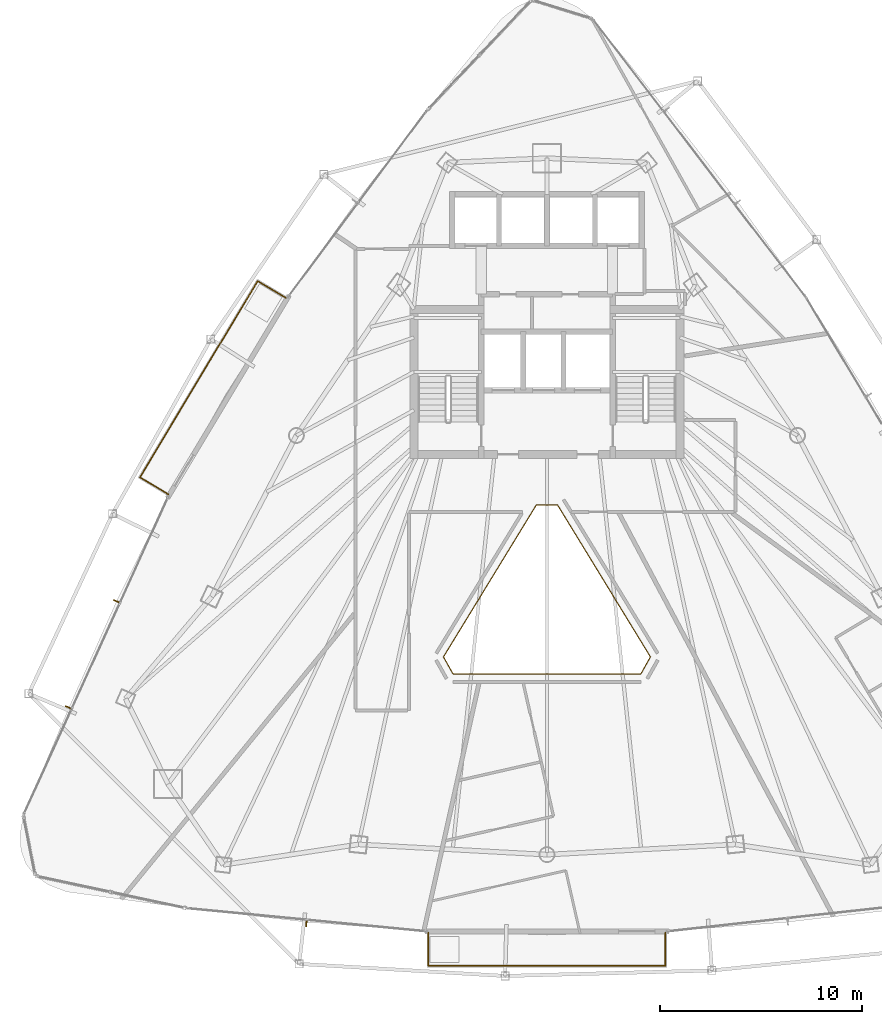
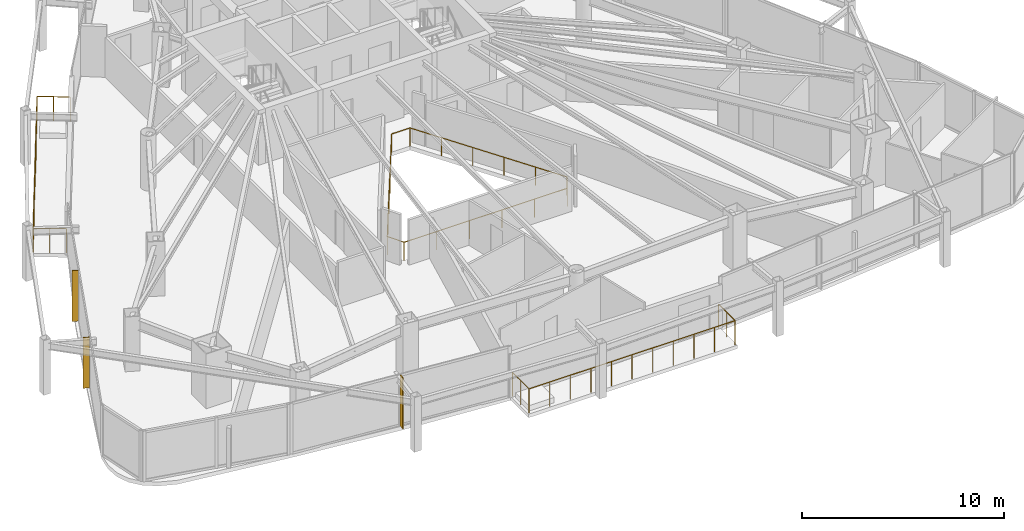
# One storey, part 31 of 33: 3 railings, 3 shading devices.
"""IFC4 building model written with IfcOpenShell, lengths in metres."""

from ifc_helpers import new_model, si_unit, direction, frame, origin, origin_2d, place, context, subcontext, project, spatial, rectangle, circle, extrude, material, layer, layer_set, type_object, element, save


model = new_model("IFC4")

# Units and contexts
model_context = context("Model", 3, precision=1e-05, world=origin(), true_north=direction((0.0, 1.0)))
body_context = subcontext(model_context, "Body", "Model", "MODEL_VIEW")
ifc_project = project(units=[si_unit("LENGTHUNIT", "METRE"), si_unit("AREAUNIT", "SQUARE_METRE"), si_unit("VOLUMEUNIT", "CUBIC_METRE"), si_unit("PLANEANGLEUNIT", "RADIAN"), si_unit("MASSUNIT", "GRAM", prefix="KILO")], contexts=[model_context])

# Site, building, storey
site_placement = place(None, origin())
site = spatial("IfcSite", under=ifc_project, at=site_placement, CompositionType="ELEMENT")
building_placement = place(site_placement, origin())
building = spatial("IfcBuilding", under=site, at=building_placement, Name="Orvanel Arch Residences", CompositionType="ELEMENT")
storey_placement = place(building_placement, frame((0.0, 0.0, 119.89990234375)))
storey = spatial("IfcBuildingStorey", under=building, at=storey_placement, Name="L33", CompositionType="ELEMENT", Elevation=119.89990234375)

# Shading devices
ifc_material = material(Name="Bronze-anodised aluminium AA6063-T6", Category="aluminium")
ifc_layer = layer(ifc_material, 0.054931640625)
ifc_layer_set = layer_set([ifc_layer], Name="Bronze-anodised aluminium AA6063-T6")
shading_device_type = type_object("IfcShadingDeviceType", Name="FIN-BRZ-320", PredefinedType="USERDEFINED", material=ifc_layer_set)
for number, where, z_axis, x_axis, name in (
    (1, (11.64892578125, 19.416015625, 0.0), (0.0, 0.0, 1.0), (-0.909961270877, 0.414693242656, 0.0), "L33 Anodised Bronze Mullion FIN 01"),
    (2, (9.2529296875, 14.14990234375, 0.0), (0.0, 0.0, 1.0), (-0.909961270877, 0.414693242656, 0.0), "L33 Anodised Bronze Mullion FIN 02"),
    (3, (21.06494140625, 3.423095703125, 0.0), (0.0, 0.0, 1.0), (-0.09584575252, -0.995396198367, 0.0), "L33 Anodised Bronze Mullion FIN 01"),
):
    element("IfcShadingDevice", number, at=place(storey_placement, frame(where, z_axis=z_axis, x_axis=x_axis)), inside=storey, type_object=shading_device_type, Name=name, ObjectType="FIN", PredefinedType="USERDEFINED", context=body_context, shape_type="SweptSolid", body=[
        extrude(rectangle(XDim=0.320068359375, YDim=0.054931640625, at=origin_2d()), origin(), (0.0, 0.0, 1.0), 3.06005859375),
    ])

# Railings
railing_type_1 = type_object("IfcRailingType", Name="RL-ATR-1120", PredefinedType="BALUSTRADE", material=ifc_material)
railing_1_placement = place(storey_placement, frame((33.52001953125, 24.198974609375, 0.0)))
element("IfcRailing", 4, at=railing_1_placement, inside=storey, type_object=railing_type_1, Name="L33 Atrium Void Protective Balustrade", PredefinedType="BALUSTRADE", context=body_context, shape_type="SweptSolid", body=[
    extrude(circle(Radius=0.02392578125, at=origin_2d()), frame((-0.00146484375, 0.0, 1.09619140625), z_axis=(-1.0, 0.0, 0.0), x_axis=(0.0, -1.0, 0.0)), (0.0, 0.0, 1.0), 1.037109375),
    extrude(circle(Radius=0.02392578125, at=origin_2d()), frame((-1.040771484375, -0.001220703125, 1.09619140625), z_axis=(-0.521622037561, -0.853176681544, 0.0), x_axis=(0.853176681544, -0.521622037561, 0.0)), (0.0, 0.0, 1.0), 8.8369140625),
    extrude(circle(Radius=0.02392578125, at=origin_2d()), frame((-5.650390625, -7.543212890625, 1.09619140625), z_axis=(0.488953837544, -0.872309661044, 0.0), x_axis=(0.872309661044, 0.488953837544, 0.0)), (0.0, 0.0, 1.0), 0.97265625),
    extrude(circle(Radius=0.02392578125, at=origin_2d()), frame((-5.172607421875, -8.39306640625, 1.09619140625), z_axis=(1.0, 0.0, 0.0), x_axis=(0.0, 1.0, 0.0)), (0.0, 0.0, 1.0), 9.30517578125),
    extrude(circle(Radius=0.02392578125, at=origin_2d()), frame((4.134765625, -8.391845703125, 1.09619140625), z_axis=(0.488953837544, 0.872309661044, 0.0), x_axis=(-0.872309661044, 0.488953837544, 0.0)), (0.0, 0.0, 1.0), 0.97265625),
    extrude(circle(Radius=0.02392578125, at=origin_2d()), frame((4.6103515625, -7.540771484375, 1.09619140625), z_axis=(-0.521622037561, 0.853176681544, 0.0), x_axis=(-0.853176681544, -0.521622037561, 0.0)), (0.0, 0.0, 1.0), 8.8369140625),
    extrude(circle(Radius=0.02099609375, at=origin_2d()), origin(), (0.0, 0.0, 1.0), 1.070068359375),
    extrude(circle(Radius=0.02099609375, at=origin_2d()), frame((-1.0400390625, 0.0, 0.0)), (0.0, 0.0, 1.0), 1.070068359375),
    extrude(circle(Radius=0.02099609375, at=origin_2d()), frame((-1.962158203125, -1.50830078125, 0.0)), (0.0, 0.0, 1.0), 1.070068359375),
    extrude(circle(Radius=0.02099609375, at=origin_2d()), frame((-2.884521484375, -3.016845703125, 0.0)), (0.0, 0.0, 1.0), 1.070068359375),
    extrude(circle(Radius=0.02099609375, at=origin_2d()), frame((-3.806640625, -4.525146484375, 0.0)), (0.0, 0.0, 1.0), 1.070068359375),
    extrude(circle(Radius=0.02099609375, at=origin_2d()), frame((-4.72900390625, -6.03369140625, 0.0)), (0.0, 0.0, 1.0), 1.070068359375),
    extrude(circle(Radius=0.02099609375, at=origin_2d()), frame((-5.651123046875, -7.5419921875, 0.0)), (0.0, 0.0, 1.0), 1.070068359375),
    extrude(circle(Radius=0.02099609375, at=origin_2d()), frame((-5.174072265625, -8.39306640625, 0.0)), (0.0, 0.0, 1.0), 1.070068359375),
    extrude(circle(Radius=0.02099609375, at=origin_2d()), frame((-3.3125, -8.39306640625, 0.0)), (0.0, 0.0, 1.0), 1.070068359375),
    extrude(circle(Radius=0.02099609375, at=origin_2d()), frame((-1.450927734375, -8.39306640625, 0.0)), (0.0, 0.0, 1.0), 1.070068359375),
    extrude(circle(Radius=0.02099609375, at=origin_2d()), frame((0.410888671875, -8.39306640625, 0.0)), (0.0, 0.0, 1.0), 1.070068359375),
    extrude(circle(Radius=0.02099609375, at=origin_2d()), frame((2.2724609375, -8.39306640625, 0.0)), (0.0, 0.0, 1.0), 1.070068359375),
    extrude(circle(Radius=0.02099609375, at=origin_2d()), frame((4.134033203125, -8.39306640625, 0.0)), (0.0, 0.0, 1.0), 1.070068359375),
    extrude(circle(Radius=0.02099609375, at=origin_2d()), frame((4.611083984375, -7.5419921875, 0.0)), (0.0, 0.0, 1.0), 1.070068359375),
    extrude(circle(Radius=0.02099609375, at=origin_2d()), frame((3.68896484375, -6.03369140625, 0.0)), (0.0, 0.0, 1.0), 1.070068359375),
    extrude(circle(Radius=0.02099609375, at=origin_2d()), frame((2.7666015625, -4.525146484375, 0.0)), (0.0, 0.0, 1.0), 1.070068359375),
    extrude(circle(Radius=0.02099609375, at=origin_2d()), frame((1.844482421875, -3.016845703125, 0.0)), (0.0, 0.0, 1.0), 1.070068359375),
    extrude(circle(Radius=0.02099609375, at=origin_2d()), frame((0.922119140625, -1.50830078125, 0.0)), (0.0, 0.0, 1.0), 1.070068359375),
])
railing_type_2 = type_object("IfcRailingType", Name="RL-BAL-1480", PredefinedType="BALUSTRADE", material=ifc_material)
railing_2_placement = place(storey_placement, frame((20.056884765625, 34.464111328125, 0.0)))
element("IfcRailing", 5, at=railing_2_placement, inside=storey, type_object=railing_type_2, Name="L33 Balcony Perimeter Guardrail Face 1", PredefinedType="BALUSTRADE", context=body_context, shape_type="SweptSolid", body=[
    extrude(circle(Radius=0.02392578125, at=origin_2d()), frame((-0.001220703125, 0.000732421875, 1.4560546875), z_axis=(-0.857387817543, 0.514670895164, 0.0), x_axis=(-0.514670895164, -0.857387817543, 0.0)), (0.0, 0.0, 1.0), 1.636962890625),
    extrude(circle(Radius=0.02392578125, at=origin_2d()), frame((-1.40673828125, 0.8427734375, 1.4560546875), z_axis=(-0.514435715158, -0.857528947016, 0.0), x_axis=(0.857528947016, -0.514435715158, 0.0)), (0.0, 0.0, 1.0), 11.35888671875),
    extrude(circle(Radius=0.02392578125, at=origin_2d()), frame((-7.249755859375, -8.89990234375, 1.4560546875), z_axis=(0.857545439568, -0.514408222208, 0.0), x_axis=(0.514408222208, 0.857545439568, 0.0)), (0.0, 0.0, 1.0), 1.6376953125),
    extrude(circle(Radius=0.02099609375, at=origin_2d()), origin(), (0.0, 0.0, 1.0), 1.429931640625),
    extrude(circle(Radius=0.02099609375, at=origin_2d()), frame((-0.703125, 0.421875, 0.0)), (0.0, 0.0, 1.0), 1.429931640625),
    extrude(circle(Radius=0.02099609375, at=origin_2d()), frame((-1.406005859375, 0.843994140625, 0.0)), (0.0, 0.0, 1.0), 1.429931640625),
    extrude(circle(Radius=0.02099609375, at=origin_2d()), frame((-1.990478515625, -0.13037109375, 0.0)), (0.0, 0.0, 1.0), 1.429931640625),
    extrude(circle(Radius=0.02099609375, at=origin_2d()), frame((-2.574951171875, -1.104736328125, 0.0)), (0.0, 0.0, 1.0), 1.429931640625),
    extrude(circle(Radius=0.02099609375, at=origin_2d()), frame((-3.159423828125, -2.078857421875, 0.0)), (0.0, 0.0, 1.0), 1.429931640625),
    extrude(circle(Radius=0.02099609375, at=origin_2d()), frame((-3.743896484375, -3.05322265625, 0.0)), (0.0, 0.0, 1.0), 1.429931640625),
    extrude(circle(Radius=0.02099609375, at=origin_2d()), frame((-4.32861328125, -4.027587890625, 0.0)), (0.0, 0.0, 1.0), 1.429931640625),
    extrude(circle(Radius=0.02099609375, at=origin_2d()), frame((-4.9130859375, -5.001953125, 0.0)), (0.0, 0.0, 1.0), 1.429931640625),
    extrude(circle(Radius=0.02099609375, at=origin_2d()), frame((-5.49755859375, -5.976318359375, 0.0)), (0.0, 0.0, 1.0), 1.429931640625),
    extrude(circle(Radius=0.02099609375, at=origin_2d()), frame((-6.08203125, -6.950439453125, 0.0)), (0.0, 0.0, 1.0), 1.429931640625),
    extrude(circle(Radius=0.02099609375, at=origin_2d()), frame((-6.66650390625, -7.9248046875, 0.0)), (0.0, 0.0, 1.0), 1.429931640625),
    extrude(circle(Radius=0.02099609375, at=origin_2d()), frame((-7.2509765625, -8.899169921875, 0.0)), (0.0, 0.0, 1.0), 1.429931640625),
    extrude(circle(Radius=0.02099609375, at=origin_2d()), frame((-6.54736328125, -9.3212890625, 0.0)), (0.0, 0.0, 1.0), 1.429931640625),
    extrude(circle(Radius=0.02099609375, at=origin_2d()), frame((-5.843994140625, -9.7431640625, 0.0)), (0.0, 0.0, 1.0), 1.429931640625),
])
railing_3_placement = place(storey_placement, frame((27.12109375, 2.972900390625, 0.0)))
element("IfcRailing", 6, at=railing_3_placement, inside=storey, type_object=railing_type_2, Name="L33 Balcony Perimeter Guardrail Face 2", PredefinedType="BALUSTRADE", context=body_context, shape_type="SweptSolid", body=[
    extrude(circle(Radius=0.02392578125, at=origin_2d()), frame((0.0, -0.00146484375, 1.4560546875), z_axis=(0.0, -1.0, 0.0), x_axis=(1.0, 0.0, 0.0)), (0.0, 0.0, 1.0), 1.636962890625),
    extrude(circle(Radius=0.02392578125, at=origin_2d()), frame((0.00146484375, -1.639892578125, 1.4560546875), z_axis=(1.0, 0.0, 0.0), x_axis=(0.0, 1.0, 0.0)), (0.0, 0.0, 1.0), 11.7548828125),
    extrude(circle(Radius=0.02392578125, at=origin_2d()), frame((11.7578125, -1.638427734375, 1.4560546875), z_axis=(0.0, 1.0, 0.0), x_axis=(-1.0, 0.0, 0.0)), (0.0, 0.0, 1.0), 1.636962890625),
    extrude(circle(Radius=0.02099609375, at=origin_2d()), origin(), (0.0, 0.0, 1.0), 1.429931640625),
    extrude(circle(Radius=0.02099609375, at=origin_2d()), frame((0.0, -0.81982421875, 0.0)), (0.0, 0.0, 1.0), 1.429931640625),
    extrude(circle(Radius=0.02099609375, at=origin_2d()), frame((0.0, -1.639892578125, 0.0)), (0.0, 0.0, 1.0), 1.429931640625),
    extrude(circle(Radius=0.02099609375, at=origin_2d()), frame((1.17578125, -1.639892578125, 0.0)), (0.0, 0.0, 1.0), 1.429931640625),
    extrude(circle(Radius=0.02099609375, at=origin_2d()), frame((2.3515625, -1.639892578125, 0.0)), (0.0, 0.0, 1.0), 1.429931640625),
    extrude(circle(Radius=0.02099609375, at=origin_2d()), frame((3.52734375, -1.639892578125, 0.0)), (0.0, 0.0, 1.0), 1.429931640625),
    extrude(circle(Radius=0.02099609375, at=origin_2d()), frame((4.703125, -1.639892578125, 0.0)), (0.0, 0.0, 1.0), 1.429931640625),
    extrude(circle(Radius=0.02099609375, at=origin_2d()), frame((5.87890625, -1.639892578125, 0.0)), (0.0, 0.0, 1.0), 1.429931640625),
    extrude(circle(Radius=0.02099609375, at=origin_2d()), frame((7.0546875, -1.639892578125, 0.0)), (0.0, 0.0, 1.0), 1.429931640625),
    extrude(circle(Radius=0.02099609375, at=origin_2d()), frame((8.23046875, -1.639892578125, 0.0)), (0.0, 0.0, 1.0), 1.429931640625),
    extrude(circle(Radius=0.02099609375, at=origin_2d()), frame((9.40625, -1.639892578125, 0.0)), (0.0, 0.0, 1.0), 1.429931640625),
    extrude(circle(Radius=0.02099609375, at=origin_2d()), frame((10.58203125, -1.639892578125, 0.0)), (0.0, 0.0, 1.0), 1.429931640625),
    extrude(circle(Radius=0.02099609375, at=origin_2d()), frame((11.7578125, -1.639892578125, 0.0)), (0.0, 0.0, 1.0), 1.429931640625),
    extrude(circle(Radius=0.02099609375, at=origin_2d()), frame((11.7578125, -0.81982421875, 0.0)), (0.0, 0.0, 1.0), 1.429931640625),
    extrude(circle(Radius=0.02099609375, at=origin_2d()), frame((11.7578125, 0.0, 0.0)), (0.0, 0.0, 1.0), 1.429931640625),
])

save(model, "model.ifc")
